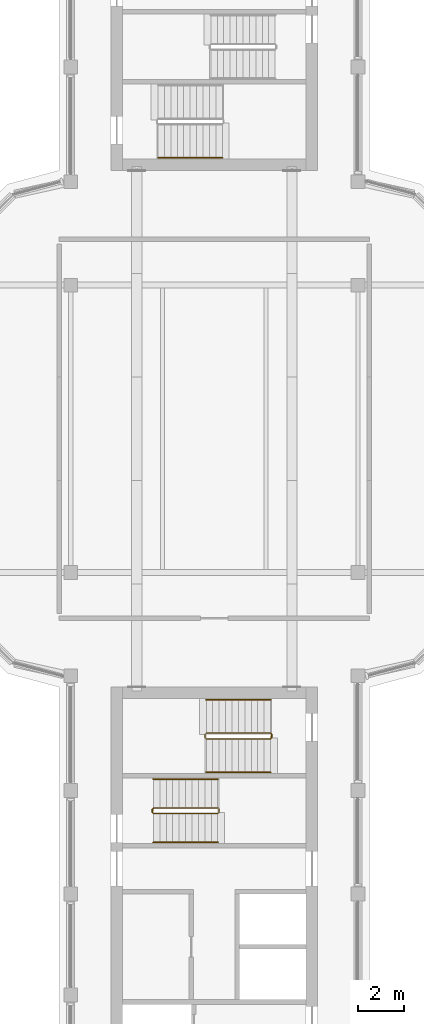
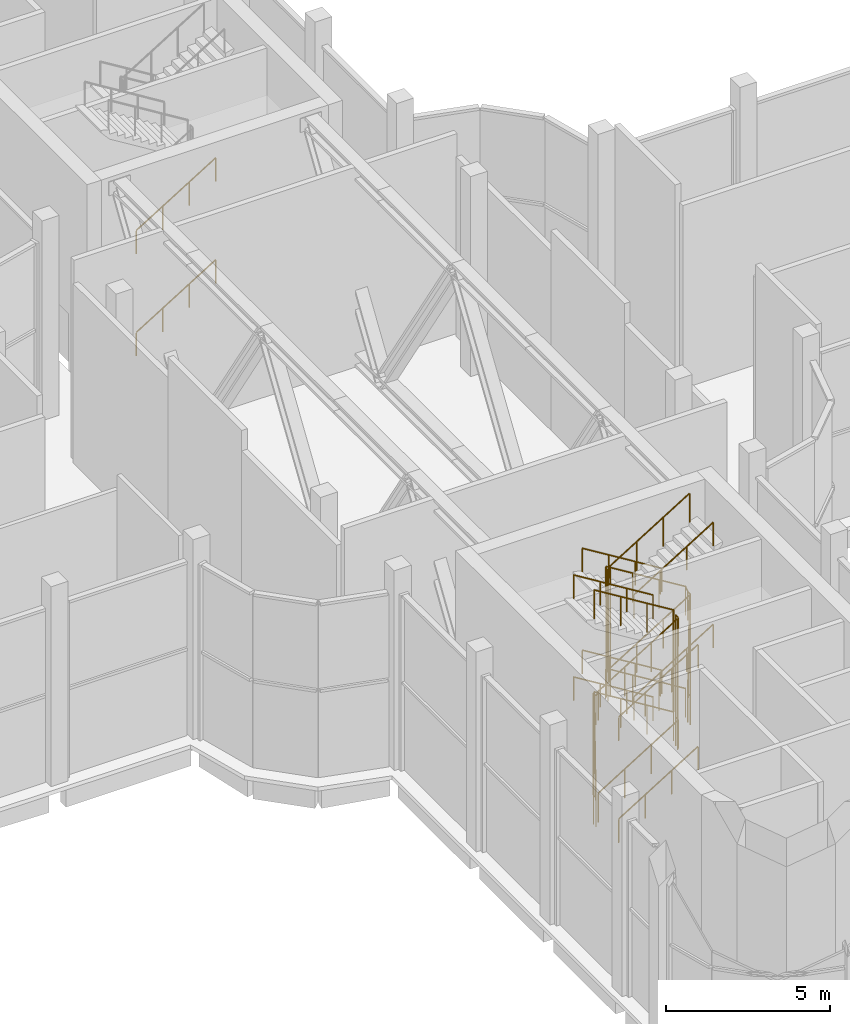
# One storey, part 14 of 15: 14 railings.
"""IFC4 building model written with IfcOpenShell, lengths in metres."""

from ifc_helpers import new_model, si_unit, direction, frame, origin, origin_2d, place, context, subcontext, project, spatial, circle, extrude, material, type_object, element, save


model = new_model("IFC4")

# Units and contexts
model_context = context("Model", 3, precision=1e-05, world=origin(), true_north=direction((0.0, 1.0)))
body_context = subcontext(model_context, "Body", "Model", "MODEL_VIEW")
ifc_project = project(units=[si_unit("LENGTHUNIT", "METRE"), si_unit("AREAUNIT", "SQUARE_METRE"), si_unit("VOLUMEUNIT", "CUBIC_METRE"), si_unit("PLANEANGLEUNIT", "RADIAN"), si_unit("MASSUNIT", "GRAM", prefix="KILO")], contexts=[model_context])

# Site, building, storey
site_placement = place(None, origin())
site = spatial("IfcSite", under=ifc_project, at=site_placement, CompositionType="ELEMENT")
building_placement = place(site_placement, origin())
building = spatial("IfcBuilding", under=site, at=building_placement, Name="Zarbagh Exchange Tower", CompositionType="ELEMENT")
storey_placement = place(building_placement, frame((0.0, 0.0, 284.0)))
storey = spatial("IfcBuildingStorey", under=building, at=storey_placement, Name="L70", CompositionType="ELEMENT", Elevation=284.0)

# Railings
ifc_material = material(Name="Stainless steel", Category="steel")
railing_type_1 = type_object("IfcRailingType", Name="Stair guard 1100 mm", PredefinedType="GUARDRAIL", material=ifc_material)
railing_1_placement = place(storey_placement, frame((-2.64990234375, -16.75, 0.172607421875)))
element("IfcRailing", 1, at=railing_1_placement, inside=storey, type_object=railing_type_1, Name="ST3 stair guard 1", PredefinedType="GUARDRAIL", context=body_context, shape_type="SweptSolid", body=[
    extrude(circle(Radius=0.02392578125, at=origin_2d()), frame((0.0, 0.0, 1.076171875), z_axis=(0.851069175582, 0.0, 0.525053576669), x_axis=(0.0, 1.0, 0.0)), (0.0, 0.0, 1.0), 3.289794921875),
    extrude(circle(Radius=0.02392578125, at=origin_2d()), frame((2.7998046875, 0.0, 2.80322265625), z_axis=(0.0, 0.0, 1.0), x_axis=(1.0, 0.0, 0.0)), (0.0, 0.0, 1.0), 3.800048828125),
    extrude(circle(Radius=0.02392578125, at=origin_2d()), frame((2.7998046875, 0.0, 6.603515625), z_axis=(-0.851069175582, 0.0, -0.525053576669), x_axis=(0.0, -1.0, 0.0)), (0.0, 0.0, 1.0), 3.289794921875),
    extrude(circle(Radius=0.02392578125, at=origin_2d()), frame((0.0, 0.0, 4.8759765625), z_axis=(-0.268277960024, 0.268277960024, -0.925231793839), x_axis=(-0.707106781187, -0.707106781187, 0.0)), (0.0, 0.0, 1.0), 0.1865234375),
    extrude(circle(Radius=0.02392578125, at=origin_2d()), frame((-0.050048828125, 0.050048828125, 4.70361328125), z_axis=(0.0, 1.0, 0.0), x_axis=(-1.0, 0.0, 0.0)), (0.0, 0.0, 1.0), 0.14990234375),
    extrude(circle(Radius=0.02392578125, at=origin_2d()), frame((-0.050048828125, 0.199951171875, 4.70361328125), z_axis=(0.0, 0.0, -1.0), x_axis=(1.0, 0.0, 0.0)), (0.0, 0.0, 1.0), 3.800048828125),
    extrude(circle(Radius=0.02392578125, at=origin_2d()), frame((-0.050048828125, 0.199951171875, 0.9033203125), z_axis=(0.0, -1.0, 0.0), x_axis=(1.0, 0.0, 0.0)), (0.0, 0.0, 1.0), 0.14990234375),
    extrude(circle(Radius=0.02392578125, at=origin_2d()), frame((-0.050048828125, 0.050048828125, 0.9033203125), z_axis=(0.013151242926, 0.052540819299, 0.998532176305), x_axis=(-0.970072785993, 0.242814311512, 0.0)), (0.0, 0.0, 1.0), 3.8056640625),
    extrude(circle(Radius=0.02392578125, at=origin_2d()), frame((0.0, 0.25, 4.70361328125), z_axis=(0.851069175582, 0.0, -0.525053576669), x_axis=(0.0, 1.0, 0.0)), (0.0, 0.0, 1.0), 3.289794921875),
    extrude(circle(Radius=0.02392578125, at=origin_2d()), frame((2.7998046875, 0.25, 2.97607421875), z_axis=(0.0, 0.0, 1.0), x_axis=(1.0, 0.0, 0.0)), (0.0, 0.0, 1.0), 3.800048828125),
    extrude(circle(Radius=0.02392578125, at=origin_2d()), frame((2.7998046875, 0.25, 6.7763671875), z_axis=(-0.851069175582, 0.0, 0.525053576669), x_axis=(0.0, -1.0, 0.0)), (0.0, 0.0, 1.0), 3.289794921875),
    extrude(circle(Radius=0.02099609375, at=origin_2d()), origin(), (0.0, 0.0, 1.0), 1.052001953125),
    extrude(circle(Radius=0.02099609375, at=origin_2d()), frame((0.933349609375, 0.0, 0.57568359375)), (0.0, 0.0, 1.0), 1.052001953125),
    extrude(circle(Radius=0.02099609375, at=origin_2d()), frame((1.866455078125, 0.0, 1.151611328125)), (0.0, 0.0, 1.0), 1.052001953125),
    extrude(circle(Radius=0.02099609375, at=origin_2d()), frame((2.7998046875, 0.0, 1.727294921875)), (0.0, 0.0, 1.0), 1.052001953125),
    extrude(circle(Radius=0.02099609375, at=origin_2d()), frame((2.7998046875, 0.0, 2.67724609375)), (0.0, 0.0, 1.0), 1.052001953125),
    extrude(circle(Radius=0.02099609375, at=origin_2d()), frame((2.7998046875, 0.0, 3.62744140625)), (0.0, 0.0, 1.0), 1.052001953125),
    extrude(circle(Radius=0.02099609375, at=origin_2d()), frame((2.7998046875, 0.0, 4.577392578125)), (0.0, 0.0, 1.0), 1.052001953125),
    extrude(circle(Radius=0.02099609375, at=origin_2d()), frame((2.7998046875, 0.0, 5.52734375)), (0.0, 0.0, 1.0), 1.052001953125),
    extrude(circle(Radius=0.02099609375, at=origin_2d()), frame((1.866455078125, 0.0, 4.95166015625)), (0.0, 0.0, 1.0), 1.052001953125),
    extrude(circle(Radius=0.02099609375, at=origin_2d()), frame((0.933349609375, 0.0, 4.375732421875)), (0.0, 0.0, 1.0), 1.052001953125),
    extrude(circle(Radius=0.02099609375, at=origin_2d()), frame((0.0, 0.0, 3.800048828125)), (0.0, 0.0, 1.0), 1.052001953125),
    extrude(circle(Radius=0.02099609375, at=origin_2d()), frame((-0.050048828125, 0.050048828125, 3.62744140625)), (0.0, 0.0, 1.0), 1.052001953125),
    extrude(circle(Radius=0.02099609375, at=origin_2d()), frame((-0.050048828125, 0.199951171875, 3.62744140625)), (0.0, 0.0, 1.0), 1.052001953125),
    extrude(circle(Radius=0.02099609375, at=origin_2d()), frame((-0.050048828125, 0.199951171875, 2.677490234375)), (0.0, 0.0, 1.0), 1.052001953125),
    extrude(circle(Radius=0.02099609375, at=origin_2d()), frame((-0.050048828125, 0.199951171875, 1.7275390625)), (0.0, 0.0, 1.0), 1.052001953125),
    extrude(circle(Radius=0.02099609375, at=origin_2d()), frame((-0.050048828125, 0.199951171875, 0.77734375)), (0.0, 0.0, 1.0), 1.052001953125),
    extrude(circle(Radius=0.02099609375, at=origin_2d()), frame((-0.050048828125, 0.199951171875, -0.172607421875)), (0.0, 0.0, 1.0), 1.052001953125),
    extrude(circle(Radius=0.02099609375, at=origin_2d()), frame((-0.050048828125, 0.050048828125, -0.172607421875)), (0.0, 0.0, 1.0), 1.052001953125),
    extrude(circle(Radius=0.02099609375, at=origin_2d()), frame((-0.03759765625, 0.10009765625, 0.77734375)), (0.0, 0.0, 1.0), 1.052001953125),
    extrude(circle(Radius=0.02099609375, at=origin_2d()), frame((-0.02490234375, 0.14990234375, 1.7275390625)), (0.0, 0.0, 1.0), 1.052001953125),
    extrude(circle(Radius=0.02099609375, at=origin_2d()), frame((-0.012451171875, 0.199951171875, 2.677490234375)), (0.0, 0.0, 1.0), 1.052001953125),
    extrude(circle(Radius=0.02099609375, at=origin_2d()), frame((0.0, 0.25, 3.62744140625)), (0.0, 0.0, 1.0), 1.052001953125),
    extrude(circle(Radius=0.02099609375, at=origin_2d()), frame((0.933349609375, 0.25, 3.0517578125)), (0.0, 0.0, 1.0), 1.052001953125),
    extrude(circle(Radius=0.02099609375, at=origin_2d()), frame((1.866455078125, 0.25, 2.475830078125)), (0.0, 0.0, 1.0), 1.052001953125),
    extrude(circle(Radius=0.02099609375, at=origin_2d()), frame((2.7998046875, 0.25, 1.900146484375)), (0.0, 0.0, 1.0), 1.052001953125),
    extrude(circle(Radius=0.02099609375, at=origin_2d()), frame((2.7998046875, 0.25, 2.85009765625)), (0.0, 0.0, 1.0), 1.052001953125),
    extrude(circle(Radius=0.02099609375, at=origin_2d()), frame((2.7998046875, 0.25, 3.80029296875)), (0.0, 0.0, 1.0), 1.052001953125),
    extrude(circle(Radius=0.02099609375, at=origin_2d()), frame((2.7998046875, 0.25, 4.750244140625)), (0.0, 0.0, 1.0), 1.052001953125),
    extrude(circle(Radius=0.02099609375, at=origin_2d()), frame((2.7998046875, 0.25, 5.7001953125)), (0.0, 0.0, 1.0), 1.052001953125),
    extrude(circle(Radius=0.02099609375, at=origin_2d()), frame((1.866455078125, 0.25, 6.27587890625)), (0.0, 0.0, 1.0), 1.052001953125),
    extrude(circle(Radius=0.02099609375, at=origin_2d()), frame((0.933349609375, 0.25, 6.851806640625)), (0.0, 0.0, 1.0), 1.052001953125),
    extrude(circle(Radius=0.02099609375, at=origin_2d()), frame((0.0, 0.25, 7.427490234375)), (0.0, 0.0, 1.0), 1.052001953125),
])
railing_2_placement = place(storey_placement, frame((0.199951171875, -16.699951171875, 1.89990234375)))
element("IfcRailing", 2, at=railing_2_placement, inside=storey, type_object=railing_type_1, Name="ST3 stair guard 2", PredefinedType="GUARDRAIL", context=body_context, shape_type="SweptSolid", body=[
    extrude(circle(Radius=0.02392578125, at=origin_2d()), frame((0.0, 0.0, 1.076171875), z_axis=(0.0, 1.0, 0.0), x_axis=(-1.0, 0.0, 0.0)), (0.0, 0.0, 1.0), 0.14990234375),
    extrude(circle(Radius=0.02392578125, at=origin_2d()), frame((0.0, 0.14990234375, 1.076171875), z_axis=(0.0, 0.0, 1.0), x_axis=(1.0, 0.0, 0.0)), (0.0, 0.0, 1.0), 3.800048828125),
    extrude(circle(Radius=0.02392578125, at=origin_2d()), frame((0.0, 0.14990234375, 4.8759765625), z_axis=(0.0, -1.0, 0.0), x_axis=(1.0, 0.0, 0.0)), (0.0, 0.0, 1.0), 0.14990234375),
    extrude(circle(Radius=0.02099609375, at=origin_2d()), origin(), (0.0, 0.0, 1.0), 1.052001953125),
    extrude(circle(Radius=0.02099609375, at=origin_2d()), frame((0.0, 0.14990234375, 0.0)), (0.0, 0.0, 1.0), 1.052001953125),
    extrude(circle(Radius=0.02099609375, at=origin_2d()), frame((0.0, 0.14990234375, 0.949951171875)), (0.0, 0.0, 1.0), 1.052001953125),
    extrude(circle(Radius=0.02099609375, at=origin_2d()), frame((0.0, 0.14990234375, 1.89990234375)), (0.0, 0.0, 1.0), 1.052001953125),
    extrude(circle(Radius=0.02099609375, at=origin_2d()), frame((0.0, 0.14990234375, 2.85009765625)), (0.0, 0.0, 1.0), 1.052001953125),
    extrude(circle(Radius=0.02099609375, at=origin_2d()), frame((0.0, 0.14990234375, 3.800048828125)), (0.0, 0.0, 1.0), 1.052001953125),
    extrude(circle(Radius=0.02099609375, at=origin_2d()), frame((0.0, 0.0, 3.800048828125)), (0.0, 0.0, 1.0), 1.052001953125),
])
railing_3_placement = place(storey_placement, frame((2.449951171875, -13.25, 0.172607421875)))
element("IfcRailing", 3, at=railing_3_placement, inside=storey, type_object=railing_type_1, Name="ST4 stair guard 1", PredefinedType="GUARDRAIL", context=body_context, shape_type="SweptSolid", body=[
    extrude(circle(Radius=0.02392578125, at=origin_2d()), frame((0.0, 0.0, 1.076171875), z_axis=(-0.851089632645, 0.0, 0.525020415988), x_axis=(0.0, -1.0, 0.0)), (0.0, 0.0, 1.0), 3.2900390625),
    extrude(circle(Radius=0.02392578125, at=origin_2d()), frame((-2.800048828125, 0.0, 2.80322265625), z_axis=(0.0, 0.0, 1.0), x_axis=(1.0, 0.0, 0.0)), (0.0, 0.0, 1.0), 3.800048828125),
    extrude(circle(Radius=0.02392578125, at=origin_2d()), frame((-2.800048828125, 0.0, 6.603515625), z_axis=(0.851089632645, 0.0, -0.525020415988), x_axis=(0.0, 1.0, 0.0)), (0.0, 0.0, 1.0), 3.2900390625),
    extrude(circle(Radius=0.02392578125, at=origin_2d()), frame((0.0, 0.0, 4.8759765625), z_axis=(0.268277960024, -0.268277960024, -0.925231793839), x_axis=(0.707106781187, 0.707106781187, 0.0)), (0.0, 0.0, 1.0), 0.1865234375),
    extrude(circle(Radius=0.02392578125, at=origin_2d()), frame((0.050048828125, -0.050048828125, 4.70361328125), z_axis=(0.0, -1.0, 0.0), x_axis=(1.0, 0.0, 0.0)), (0.0, 0.0, 1.0), 0.14990234375),
    extrude(circle(Radius=0.02392578125, at=origin_2d()), frame((0.050048828125, -0.199951171875, 4.70361328125), z_axis=(0.0, 0.0, -1.0), x_axis=(1.0, 0.0, 0.0)), (0.0, 0.0, 1.0), 3.800048828125),
    extrude(circle(Radius=0.02392578125, at=origin_2d()), frame((0.050048828125, -0.199951171875, 0.9033203125), z_axis=(0.0, 1.0, 0.0), x_axis=(-1.0, 0.0, 0.0)), (0.0, 0.0, 1.0), 0.14990234375),
    extrude(circle(Radius=0.02392578125, at=origin_2d()), frame((0.050048828125, -0.050048828125, 0.9033203125), z_axis=(-0.013151242926, -0.052540819299, 0.998532176305), x_axis=(0.970072785993, -0.242814311512, 0.0)), (0.0, 0.0, 1.0), 3.8056640625),
    extrude(circle(Radius=0.02392578125, at=origin_2d()), frame((0.0, -0.25, 4.70361328125), z_axis=(-0.851089632645, 0.0, -0.525020415988), x_axis=(0.0, -1.0, 0.0)), (0.0, 0.0, 1.0), 3.2900390625),
    extrude(circle(Radius=0.02392578125, at=origin_2d()), frame((-2.800048828125, -0.25, 2.97607421875), z_axis=(0.0, 0.0, 1.0), x_axis=(1.0, 0.0, 0.0)), (0.0, 0.0, 1.0), 3.800048828125),
    extrude(circle(Radius=0.02392578125, at=origin_2d()), frame((-2.800048828125, -0.25, 6.7763671875), z_axis=(0.851089632645, 0.0, 0.525020415988), x_axis=(0.0, 1.0, 0.0)), (0.0, 0.0, 1.0), 3.2900390625),
    extrude(circle(Radius=0.02099609375, at=origin_2d()), origin(), (0.0, 0.0, 1.0), 1.052001953125),
    extrude(circle(Radius=0.02099609375, at=origin_2d()), frame((-0.933349609375, 0.0, 0.57568359375)), (0.0, 0.0, 1.0), 1.052001953125),
    extrude(circle(Radius=0.02099609375, at=origin_2d()), frame((-1.86669921875, 0.0, 1.151611328125)), (0.0, 0.0, 1.0), 1.052001953125),
    extrude(circle(Radius=0.02099609375, at=origin_2d()), frame((-2.800048828125, 0.0, 1.727294921875)), (0.0, 0.0, 1.0), 1.052001953125),
    extrude(circle(Radius=0.02099609375, at=origin_2d()), frame((-2.800048828125, 0.0, 2.67724609375)), (0.0, 0.0, 1.0), 1.052001953125),
    extrude(circle(Radius=0.02099609375, at=origin_2d()), frame((-2.800048828125, 0.0, 3.62744140625)), (0.0, 0.0, 1.0), 1.052001953125),
    extrude(circle(Radius=0.02099609375, at=origin_2d()), frame((-2.800048828125, 0.0, 4.577392578125)), (0.0, 0.0, 1.0), 1.052001953125),
    extrude(circle(Radius=0.02099609375, at=origin_2d()), frame((-2.800048828125, 0.0, 5.52734375)), (0.0, 0.0, 1.0), 1.052001953125),
    extrude(circle(Radius=0.02099609375, at=origin_2d()), frame((-1.86669921875, 0.0, 4.95166015625)), (0.0, 0.0, 1.0), 1.052001953125),
    extrude(circle(Radius=0.02099609375, at=origin_2d()), frame((-0.933349609375, 0.0, 4.375732421875)), (0.0, 0.0, 1.0), 1.052001953125),
    extrude(circle(Radius=0.02099609375, at=origin_2d()), frame((0.0, 0.0, 3.800048828125)), (0.0, 0.0, 1.0), 1.052001953125),
    extrude(circle(Radius=0.02099609375, at=origin_2d()), frame((0.050048828125, -0.050048828125, 3.62744140625)), (0.0, 0.0, 1.0), 1.052001953125),
    extrude(circle(Radius=0.02099609375, at=origin_2d()), frame((0.050048828125, -0.199951171875, 3.62744140625)), (0.0, 0.0, 1.0), 1.052001953125),
    extrude(circle(Radius=0.02099609375, at=origin_2d()), frame((0.050048828125, -0.199951171875, 2.677490234375)), (0.0, 0.0, 1.0), 1.052001953125),
    extrude(circle(Radius=0.02099609375, at=origin_2d()), frame((0.050048828125, -0.199951171875, 1.7275390625)), (0.0, 0.0, 1.0), 1.052001953125),
    extrude(circle(Radius=0.02099609375, at=origin_2d()), frame((0.050048828125, -0.199951171875, 0.77734375)), (0.0, 0.0, 1.0), 1.052001953125),
    extrude(circle(Radius=0.02099609375, at=origin_2d()), frame((0.050048828125, -0.199951171875, -0.172607421875)), (0.0, 0.0, 1.0), 1.052001953125),
    extrude(circle(Radius=0.02099609375, at=origin_2d()), frame((0.050048828125, -0.050048828125, -0.172607421875)), (0.0, 0.0, 1.0), 1.052001953125),
    extrude(circle(Radius=0.02099609375, at=origin_2d()), frame((0.03759765625, -0.10009765625, 0.77734375)), (0.0, 0.0, 1.0), 1.052001953125),
    extrude(circle(Radius=0.02099609375, at=origin_2d()), frame((0.02490234375, -0.14990234375, 1.7275390625)), (0.0, 0.0, 1.0), 1.052001953125),
    extrude(circle(Radius=0.02099609375, at=origin_2d()), frame((0.012451171875, -0.199951171875, 2.677490234375)), (0.0, 0.0, 1.0), 1.052001953125),
    extrude(circle(Radius=0.02099609375, at=origin_2d()), frame((0.0, -0.25, 3.62744140625)), (0.0, 0.0, 1.0), 1.052001953125),
    extrude(circle(Radius=0.02099609375, at=origin_2d()), frame((-0.933349609375, -0.25, 3.0517578125)), (0.0, 0.0, 1.0), 1.052001953125),
    extrude(circle(Radius=0.02099609375, at=origin_2d()), frame((-1.86669921875, -0.25, 2.475830078125)), (0.0, 0.0, 1.0), 1.052001953125),
    extrude(circle(Radius=0.02099609375, at=origin_2d()), frame((-2.800048828125, -0.25, 1.900146484375)), (0.0, 0.0, 1.0), 1.052001953125),
    extrude(circle(Radius=0.02099609375, at=origin_2d()), frame((-2.800048828125, -0.25, 2.85009765625)), (0.0, 0.0, 1.0), 1.052001953125),
    extrude(circle(Radius=0.02099609375, at=origin_2d()), frame((-2.800048828125, -0.25, 3.80029296875)), (0.0, 0.0, 1.0), 1.052001953125),
    extrude(circle(Radius=0.02099609375, at=origin_2d()), frame((-2.800048828125, -0.25, 4.750244140625)), (0.0, 0.0, 1.0), 1.052001953125),
    extrude(circle(Radius=0.02099609375, at=origin_2d()), frame((-2.800048828125, -0.25, 5.7001953125)), (0.0, 0.0, 1.0), 1.052001953125),
    extrude(circle(Radius=0.02099609375, at=origin_2d()), frame((-1.86669921875, -0.25, 6.27587890625)), (0.0, 0.0, 1.0), 1.052001953125),
    extrude(circle(Radius=0.02099609375, at=origin_2d()), frame((-0.933349609375, -0.25, 6.851806640625)), (0.0, 0.0, 1.0), 1.052001953125),
    extrude(circle(Radius=0.02099609375, at=origin_2d()), frame((0.0, -0.25, 7.427490234375)), (0.0, 0.0, 1.0), 1.052001953125),
])
railing_4_placement = place(storey_placement, frame((-0.39990234375, -13.300048828125, 1.89990234375)))
element("IfcRailing", 4, at=railing_4_placement, inside=storey, type_object=railing_type_1, Name="ST4 stair guard 2", PredefinedType="GUARDRAIL", context=body_context, shape_type="SweptSolid", body=[
    extrude(circle(Radius=0.02392578125, at=origin_2d()), frame((0.0, 0.0, 1.076171875), z_axis=(0.0, -1.0, 0.0), x_axis=(1.0, 0.0, 0.0)), (0.0, 0.0, 1.0), 0.14990234375),
    extrude(circle(Radius=0.02392578125, at=origin_2d()), frame((0.0, -0.14990234375, 1.076171875), z_axis=(0.0, 0.0, 1.0), x_axis=(1.0, 0.0, 0.0)), (0.0, 0.0, 1.0), 3.800048828125),
    extrude(circle(Radius=0.02392578125, at=origin_2d()), frame((0.0, -0.14990234375, 4.8759765625), z_axis=(0.0, 1.0, 0.0), x_axis=(-1.0, 0.0, 0.0)), (0.0, 0.0, 1.0), 0.14990234375),
    extrude(circle(Radius=0.02099609375, at=origin_2d()), origin(), (0.0, 0.0, 1.0), 1.052001953125),
    extrude(circle(Radius=0.02099609375, at=origin_2d()), frame((0.0, -0.14990234375, 0.0)), (0.0, 0.0, 1.0), 1.052001953125),
    extrude(circle(Radius=0.02099609375, at=origin_2d()), frame((0.0, -0.14990234375, 0.949951171875)), (0.0, 0.0, 1.0), 1.052001953125),
    extrude(circle(Radius=0.02099609375, at=origin_2d()), frame((0.0, -0.14990234375, 1.89990234375)), (0.0, 0.0, 1.0), 1.052001953125),
    extrude(circle(Radius=0.02099609375, at=origin_2d()), frame((0.0, -0.14990234375, 2.85009765625)), (0.0, 0.0, 1.0), 1.052001953125),
    extrude(circle(Radius=0.02099609375, at=origin_2d()), frame((0.0, -0.14990234375, 3.800048828125)), (0.0, 0.0, 1.0), 1.052001953125),
    extrude(circle(Radius=0.02099609375, at=origin_2d()), frame((0.0, 0.0, 3.800048828125)), (0.0, 0.0, 1.0), 1.052001953125),
])
railing_type_2 = type_object("IfcRailingType", Name="Stair handrail 900 mm", PredefinedType="HANDRAIL", material=ifc_material)
for number, where, name in (
    (5, (-2.449951171875, 11.800048828125, 0.172607421875), "ST2 stair handrail 1"),
    (6, (-2.449951171875, 11.800048828125, 3.97265625), "ST2 stair handrail 3"),
):
    element("IfcRailing", number, at=place(storey_placement, frame(where)), inside=storey, type_object=railing_type_2, Name=name, PredefinedType="HANDRAIL", context=body_context, shape_type="SweptSolid", body=[
        extrude(circle(Radius=0.02392578125, at=origin_2d()), frame((0.0, 0.0, 0.8759765625), z_axis=(0.851089632645, 0.0, 0.525020415988), x_axis=(0.0, 1.0, 0.0)), (0.0, 0.0, 1.0), 3.2900390625),
        extrude(circle(Radius=0.02099609375, at=origin_2d()), origin(), (0.0, 0.0, 1.0), 0.851806640625),
        extrude(circle(Radius=0.02099609375, at=origin_2d()), frame((0.933349609375, 0.0, 0.57568359375)), (0.0, 0.0, 1.0), 0.851806640625),
        extrude(circle(Radius=0.02099609375, at=origin_2d()), frame((1.86669921875, 0.0, 1.151611328125)), (0.0, 0.0, 1.0), 0.851806640625),
        extrude(circle(Radius=0.02099609375, at=origin_2d()), frame((2.800048828125, 0.0, 1.727294921875)), (0.0, 0.0, 1.0), 0.851806640625),
    ])
railing_5_placement = place(storey_placement, frame((-2.64990234375, -18.0, 0.172607421875)))
element("IfcRailing", 7, at=railing_5_placement, inside=storey, type_object=railing_type_2, Name="ST3 stair handrail 1", PredefinedType="HANDRAIL", context=body_context, shape_type="SweptSolid", body=[
    extrude(circle(Radius=0.02392578125, at=origin_2d()), frame((0.0, 0.0, 0.8759765625), z_axis=(0.851069175582, 0.0, 0.525053576669), x_axis=(0.0, 1.0, 0.0)), (0.0, 0.0, 1.0), 3.289794921875),
    extrude(circle(Radius=0.02099609375, at=origin_2d()), origin(), (0.0, 0.0, 1.0), 0.851806640625),
    extrude(circle(Radius=0.02099609375, at=origin_2d()), frame((0.933349609375, 0.0, 0.57568359375)), (0.0, 0.0, 1.0), 0.851806640625),
    extrude(circle(Radius=0.02099609375, at=origin_2d()), frame((1.866455078125, 0.0, 1.151611328125)), (0.0, 0.0, 1.0), 0.851806640625),
    extrude(circle(Radius=0.02099609375, at=origin_2d()), frame((2.7998046875, 0.0, 1.727294921875)), (0.0, 0.0, 1.0), 0.851806640625),
])
railing_6_placement = place(storey_placement, frame((0.14990234375, -15.25, 2.07275390625)))
element("IfcRailing", 8, at=railing_6_placement, inside=storey, type_object=railing_type_2, Name="ST3 stair handrail 2", PredefinedType="HANDRAIL", context=body_context, shape_type="SweptSolid", body=[
    extrude(circle(Radius=0.02392578125, at=origin_2d()), frame((0.0, 0.0, 0.8759765625), z_axis=(-0.851069175582, 0.0, 0.525053576669), x_axis=(0.0, -1.0, 0.0)), (0.0, 0.0, 1.0), 3.289794921875),
    extrude(circle(Radius=0.02099609375, at=origin_2d()), origin(), (0.0, 0.0, 1.0), 0.851806640625),
    extrude(circle(Radius=0.02099609375, at=origin_2d()), frame((-0.933349609375, 0.0, 0.57568359375)), (0.0, 0.0, 1.0), 0.851806640625),
    extrude(circle(Radius=0.02099609375, at=origin_2d()), frame((-1.866455078125, 0.0, 1.151611328125)), (0.0, 0.0, 1.0), 0.851806640625),
    extrude(circle(Radius=0.02099609375, at=origin_2d()), frame((-2.7998046875, 0.0, 1.727294921875)), (0.0, 0.0, 1.0), 0.851806640625),
])
railing_7_placement = place(storey_placement, frame((-2.64990234375, -18.0, 3.97265625)))
element("IfcRailing", 9, at=railing_7_placement, inside=storey, type_object=railing_type_2, Name="ST3 stair handrail 3", PredefinedType="HANDRAIL", context=body_context, shape_type="SweptSolid", body=[
    extrude(circle(Radius=0.02392578125, at=origin_2d()), frame((0.0, 0.0, 0.8759765625), z_axis=(0.851069175582, 0.0, 0.525053576669), x_axis=(0.0, 1.0, 0.0)), (0.0, 0.0, 1.0), 3.289794921875),
    extrude(circle(Radius=0.02099609375, at=origin_2d()), origin(), (0.0, 0.0, 1.0), 0.851806640625),
    extrude(circle(Radius=0.02099609375, at=origin_2d()), frame((0.933349609375, 0.0, 0.57568359375)), (0.0, 0.0, 1.0), 0.851806640625),
    extrude(circle(Radius=0.02099609375, at=origin_2d()), frame((1.866455078125, 0.0, 1.151611328125)), (0.0, 0.0, 1.0), 0.851806640625),
    extrude(circle(Radius=0.02099609375, at=origin_2d()), frame((2.7998046875, 0.0, 1.727294921875)), (0.0, 0.0, 1.0), 0.851806640625),
])
railing_8_placement = place(storey_placement, frame((0.14990234375, -15.25, 5.872802734375)))
element("IfcRailing", 10, at=railing_8_placement, inside=storey, type_object=railing_type_2, Name="ST3 stair handrail 4", PredefinedType="HANDRAIL", context=body_context, shape_type="SweptSolid", body=[
    extrude(circle(Radius=0.02392578125, at=origin_2d()), frame((0.0, 0.0, 0.8759765625), z_axis=(-0.851069175582, 0.0, 0.525053576669), x_axis=(0.0, -1.0, 0.0)), (0.0, 0.0, 1.0), 3.289794921875),
    extrude(circle(Radius=0.02099609375, at=origin_2d()), origin(), (0.0, 0.0, 1.0), 0.851806640625),
    extrude(circle(Radius=0.02099609375, at=origin_2d()), frame((-0.933349609375, 0.0, 0.57568359375)), (0.0, 0.0, 1.0), 0.851806640625),
    extrude(circle(Radius=0.02099609375, at=origin_2d()), frame((-1.866455078125, 0.0, 1.151611328125)), (0.0, 0.0, 1.0), 0.851806640625),
    extrude(circle(Radius=0.02099609375, at=origin_2d()), frame((-2.7998046875, 0.0, 1.727294921875)), (0.0, 0.0, 1.0), 0.851806640625),
])
railing_9_placement = place(storey_placement, frame((2.449951171875, -11.800048828125, 0.172607421875)))
element("IfcRailing", 11, at=railing_9_placement, inside=storey, type_object=railing_type_2, Name="ST4 stair handrail 1", PredefinedType="HANDRAIL", context=body_context, shape_type="SweptSolid", body=[
    extrude(circle(Radius=0.02392578125, at=origin_2d()), frame((0.0, 0.0, 0.8759765625), z_axis=(-0.851089632645, 0.0, 0.525020415988), x_axis=(0.0, -1.0, 0.0)), (0.0, 0.0, 1.0), 3.2900390625),
    extrude(circle(Radius=0.02099609375, at=origin_2d()), origin(), (0.0, 0.0, 1.0), 0.851806640625),
    extrude(circle(Radius=0.02099609375, at=origin_2d()), frame((-0.933349609375, 0.0, 0.57568359375)), (0.0, 0.0, 1.0), 0.851806640625),
    extrude(circle(Radius=0.02099609375, at=origin_2d()), frame((-1.86669921875, 0.0, 1.151611328125)), (0.0, 0.0, 1.0), 0.851806640625),
    extrude(circle(Radius=0.02099609375, at=origin_2d()), frame((-2.800048828125, 0.0, 1.727294921875)), (0.0, 0.0, 1.0), 0.851806640625),
])
railing_10_placement = place(storey_placement, frame((-0.35009765625, -14.949951171875, 2.07275390625)))
element("IfcRailing", 12, at=railing_10_placement, inside=storey, type_object=railing_type_2, Name="ST4 stair handrail 2", PredefinedType="HANDRAIL", context=body_context, shape_type="SweptSolid", body=[
    extrude(circle(Radius=0.02392578125, at=origin_2d()), frame((0.0, 0.0, 0.8759765625), z_axis=(0.851089632645, 0.0, 0.525020415988), x_axis=(0.0, 1.0, 0.0)), (0.0, 0.0, 1.0), 3.2900390625),
    extrude(circle(Radius=0.02099609375, at=origin_2d()), origin(), (0.0, 0.0, 1.0), 0.851806640625),
    extrude(circle(Radius=0.02099609375, at=origin_2d()), frame((0.933349609375, 0.0, 0.57568359375)), (0.0, 0.0, 1.0), 0.851806640625),
    extrude(circle(Radius=0.02099609375, at=origin_2d()), frame((1.86669921875, 0.0, 1.151611328125)), (0.0, 0.0, 1.0), 0.851806640625),
    extrude(circle(Radius=0.02099609375, at=origin_2d()), frame((2.800048828125, 0.0, 1.727294921875)), (0.0, 0.0, 1.0), 0.851806640625),
])
railing_11_placement = place(storey_placement, frame((2.449951171875, -11.800048828125, 3.97265625)))
element("IfcRailing", 13, at=railing_11_placement, inside=storey, type_object=railing_type_2, Name="ST4 stair handrail 3", PredefinedType="HANDRAIL", context=body_context, shape_type="SweptSolid", body=[
    extrude(circle(Radius=0.02392578125, at=origin_2d()), frame((0.0, 0.0, 0.8759765625), z_axis=(-0.851089632645, 0.0, 0.525020415988), x_axis=(0.0, -1.0, 0.0)), (0.0, 0.0, 1.0), 3.2900390625),
    extrude(circle(Radius=0.02099609375, at=origin_2d()), origin(), (0.0, 0.0, 1.0), 0.851806640625),
    extrude(circle(Radius=0.02099609375, at=origin_2d()), frame((-0.933349609375, 0.0, 0.57568359375)), (0.0, 0.0, 1.0), 0.851806640625),
    extrude(circle(Radius=0.02099609375, at=origin_2d()), frame((-1.86669921875, 0.0, 1.151611328125)), (0.0, 0.0, 1.0), 0.851806640625),
    extrude(circle(Radius=0.02099609375, at=origin_2d()), frame((-2.800048828125, 0.0, 1.727294921875)), (0.0, 0.0, 1.0), 0.851806640625),
])
railing_12_placement = place(storey_placement, frame((-0.35009765625, -14.949951171875, 5.872802734375)))
element("IfcRailing", 14, at=railing_12_placement, inside=storey, type_object=railing_type_2, Name="ST4 stair handrail 4", PredefinedType="HANDRAIL", context=body_context, shape_type="SweptSolid", body=[
    extrude(circle(Radius=0.02392578125, at=origin_2d()), frame((0.0, 0.0, 0.8759765625), z_axis=(0.851089632645, 0.0, 0.525020415988), x_axis=(0.0, 1.0, 0.0)), (0.0, 0.0, 1.0), 3.2900390625),
    extrude(circle(Radius=0.02099609375, at=origin_2d()), origin(), (0.0, 0.0, 1.0), 0.851806640625),
    extrude(circle(Radius=0.02099609375, at=origin_2d()), frame((0.933349609375, 0.0, 0.57568359375)), (0.0, 0.0, 1.0), 0.851806640625),
    extrude(circle(Radius=0.02099609375, at=origin_2d()), frame((1.86669921875, 0.0, 1.151611328125)), (0.0, 0.0, 1.0), 0.851806640625),
    extrude(circle(Radius=0.02099609375, at=origin_2d()), frame((2.800048828125, 0.0, 1.727294921875)), (0.0, 0.0, 1.0), 0.851806640625),
])

save(model, "model.ifc")
